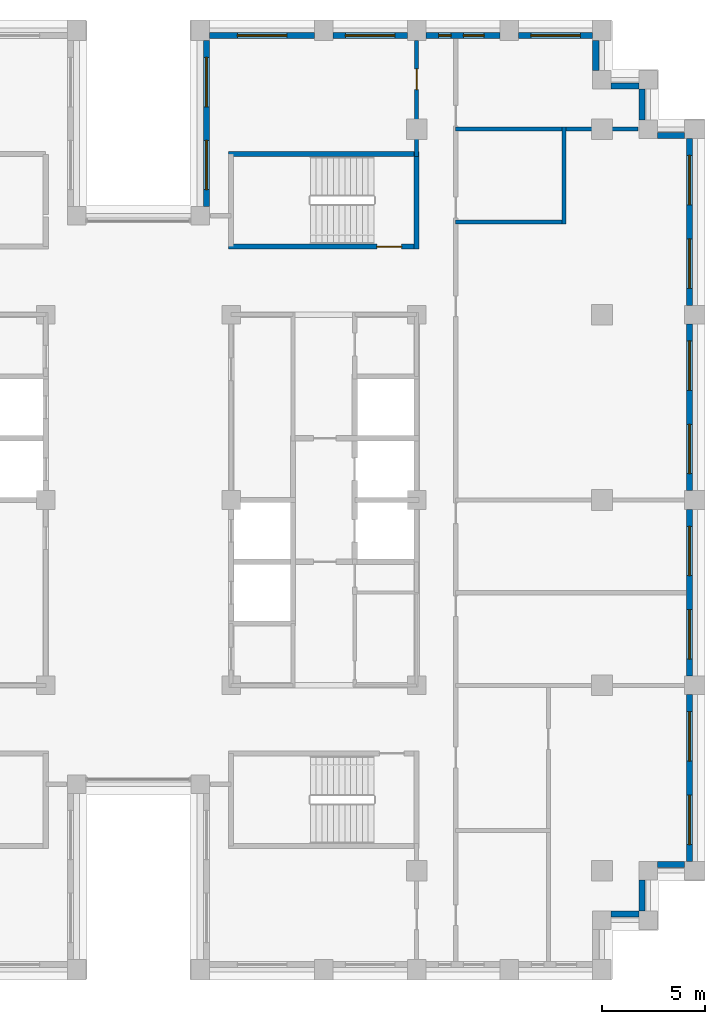
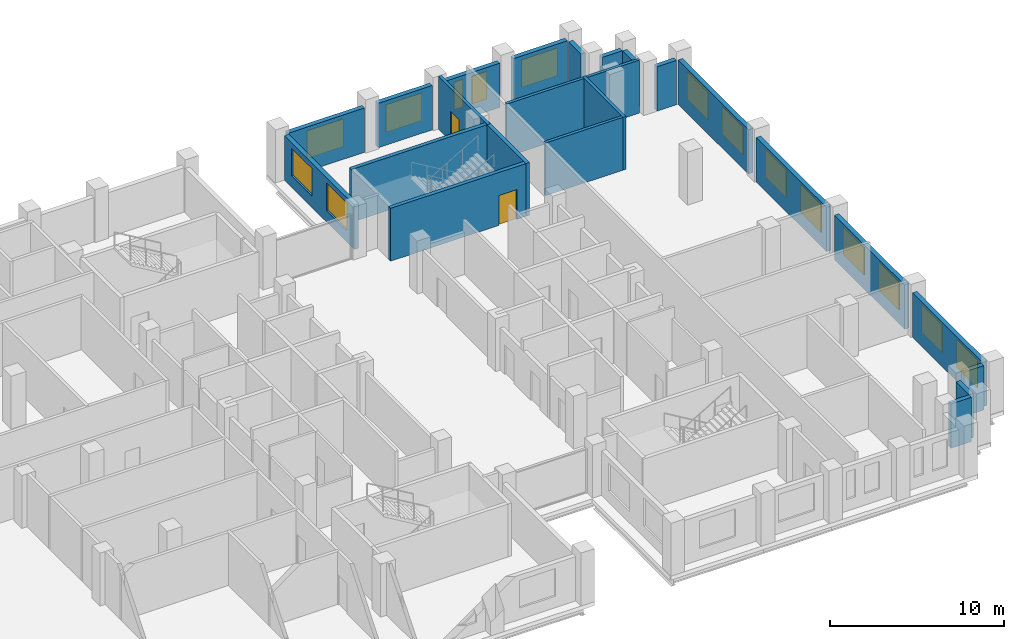
# One storey, part 11 of 15: 23 walls, 15 windows, 2 doors, 17 openings.
"""IFC4 building model written with IfcOpenShell, lengths in metres."""

from ifc_helpers import new_model, si_unit, direction, frame, frame_2d, origin, place, context, subcontext, project, spatial, rectangle, extrude, material, layer, layer_set, type_object, element, fill, save


model = new_model("IFC4")

# Units and contexts
model_context = context("Model", 3, precision=1e-05, world=origin(), true_north=direction((0.0, 1.0)))
body_context = subcontext(model_context, "Body", "Model", "MODEL_VIEW")
ifc_project = project(units=[si_unit("LENGTHUNIT", "METRE"), si_unit("AREAUNIT", "SQUARE_METRE"), si_unit("VOLUMEUNIT", "CUBIC_METRE"), si_unit("PLANEANGLEUNIT", "RADIAN"), si_unit("MASSUNIT", "GRAM", prefix="KILO")], contexts=[model_context])

# Site, building, storey
site_placement = place(None, origin())
site = spatial("IfcSite", under=ifc_project, at=site_placement, CompositionType="ELEMENT")
building_placement = place(site_placement, origin())
building = spatial("IfcBuilding", under=site, at=building_placement, Name="Corbelhall Arena Tower", CompositionType="ELEMENT")
storey_placement = place(building_placement, frame((0.0, 0.0, 216.0)))
storey = spatial("IfcBuildingStorey", under=building, at=storey_placement, Name="L45", CompositionType="ELEMENT", Elevation=216.0)

# Walls
ifc_material_1 = material(Name="Precast concrete C40/50 with granite facing", Category="masonry")
ifc_layer_1 = layer(ifc_material_1, 0.300048828125)
ifc_layer_set_1 = layer_set([ifc_layer_1], Name="EV-IW1 Infill panel 300")
wall_type_1 = type_object("IfcWallType", Name="EV-IW1 Infill panel 300", PredefinedType="SOLIDWALL", material=ifc_layer_set_1)
wall_1_placement = place(storey_placement, frame((22.949951171875, -20.10009765625, 0.0), z_axis=(0.0, 0.0, 1.0), x_axis=(1.0, 0.0, 0.0)))
element("IfcWall", 1, at=wall_1_placement, inside=storey, type_object=wall_type_1, Name="Infill panel IW1", PredefinedType="SOLIDWALL", context=body_context, shape_type="SweptSolid", body=[
    extrude(rectangle(XDim=1.35009765625, YDim=0.300048828125, at=frame_2d((0.675048828125, 0.0))), origin(), (0.0, 0.0, 1.0), 3.1201171875),
])
wall_2_placement = place(storey_placement, frame((24.449951171875, -19.949951171875, 0.0), z_axis=(0.0, 0.0, 1.0), x_axis=(0.0, 1.0, 0.0)))
element("IfcWall", 2, at=wall_2_placement, inside=storey, type_object=wall_type_1, Name="Infill panel IW1", PredefinedType="SOLIDWALL", context=body_context, shape_type="SweptSolid", body=[
    extrude(rectangle(XDim=1.5, YDim=0.300048828125, at=frame_2d((0.75, 0.0))), origin(), (0.0, 0.0, 1.0), 3.1201171875),
])
wall_3_placement = place(storey_placement, frame((25.199951171875, -17.699951171875, 0.0), z_axis=(0.0, 0.0, 1.0), x_axis=(1.0, 0.0, 0.0)))
element("IfcWall", 3, at=wall_3_placement, inside=storey, type_object=wall_type_1, Name="Infill panel IW1", PredefinedType="SOLIDWALL", context=body_context, shape_type="SweptSolid", body=[
    extrude(rectangle(XDim=1.300048828125, YDim=0.300048828125, at=frame_2d((0.64990234375, 0.0))), origin(), (0.0, 0.0, 1.0), 3.1201171875),
])

# Wall, openings, windows
wall_4_placement = place(storey_placement, frame((26.75, -17.550048828125, 0.0), z_axis=(0.0, 0.0, 1.0), x_axis=(0.0, 1.0, 0.0)))
wall_4 = element("IfcWall", 4, at=wall_4_placement, inside=storey, type_object=wall_type_1, Name="Infill panel IW1", PredefinedType="SOLIDWALL", context=body_context, shape_type="SweptSolid", body=[
    extrude(rectangle(XDim=8.10009765625, YDim=0.300048828125, at=frame_2d((4.050048828125, 0.0))), origin(), (0.0, 0.0, 1.0), 3.1201171875),
])
opening_1_placement = place(wall_4_placement, frame((0.824951171875, 0.0, 0.800048828125)))
opening_1 = element("IfcOpeningElement", 5, at=opening_1_placement, cuts=wall_4, Name="Opening WN1", PredefinedType="OPENING", context=body_context, shape_type="SweptSolid", body=[
    extrude(rectangle(XDim=2.39990234375, YDim=1.949951171875, at=frame_2d((1.199951171875, 0.97509765625))), frame((0.0, 0.14990234375, 0.0), z_axis=(0.0, -1.0, 0.0), x_axis=(1.0, 0.0, 0.0)), (0.0, 0.0, 1.0), 0.300048828125),
])
opening_2_placement = place(wall_4_placement, frame((4.875, 0.0, 0.800048828125)))
opening_2 = element("IfcOpeningElement", 6, at=opening_2_placement, cuts=wall_4, Name="Opening WN1", PredefinedType="OPENING", context=body_context, shape_type="SweptSolid", body=[
    extrude(rectangle(XDim=2.39990234375, YDim=1.949951171875, at=frame_2d((1.199951171875, 0.97509765625))), frame((0.0, 0.14990234375, 0.0), z_axis=(0.0, -1.0, 0.0), x_axis=(1.0, 0.0, 0.0)), (0.0, 0.0, 1.0), 0.300048828125),
])
ifc_material_2 = material(Name="Aluminium black anodised", Category="aluminium")
window_type_1 = type_object("IfcWindowType", Name="EV-WN1 Office window", PartitioningType="SINGLE_PANEL", PredefinedType="WINDOW", material=ifc_material_2)
window_1_placement = place(opening_1_placement, origin())
window_1 = element("IfcWindow", 7, at=window_1_placement, inside=storey, type_object=window_type_1, Name="Window WN1", OverallHeight=1.949951171875, OverallWidth=2.39990234375, PartitioningType="SINGLE_PANEL", PredefinedType="WINDOW", context=body_context, shape_type="SweptSolid", body=[
    extrude(rectangle(XDim=2.39990234375, YDim=1.949951171875, at=frame_2d((1.199951171875, 0.97509765625))), frame((0.0, 0.030029296875, 0.0), z_axis=(0.0, -1.0, 0.0), x_axis=(1.0, 0.0, 0.0)), (0.0, 0.0, 1.0), 0.06005859375),
])
fill(opening_1, window_1)
window_2_placement = place(opening_2_placement, origin())
window_2 = element("IfcWindow", 8, at=window_2_placement, inside=storey, type_object=window_type_1, Name="Window WN1", OverallHeight=1.949951171875, OverallWidth=2.39990234375, PartitioningType="SINGLE_PANEL", PredefinedType="WINDOW", context=body_context, shape_type="SweptSolid", body=[
    extrude(rectangle(XDim=2.39990234375, YDim=1.949951171875, at=frame_2d((1.199951171875, 0.97509765625))), frame((0.0, 0.030029296875, 0.0), z_axis=(0.0, -1.0, 0.0), x_axis=(1.0, 0.0, 0.0)), (0.0, 0.0, 1.0), 0.06005859375),
])
fill(opening_2, window_2)

wall_5_placement = place(storey_placement, frame((26.75, -8.550048828125, 0.0), z_axis=(0.0, 0.0, 1.0), x_axis=(0.0, 1.0, 0.0)))
wall_5 = element("IfcWall", 9, at=wall_5_placement, inside=storey, type_object=wall_type_1, Name="Infill panel IW1", PredefinedType="SOLIDWALL", context=body_context, shape_type="SweptSolid", body=[
    extrude(rectangle(XDim=8.10009765625, YDim=0.300048828125, at=frame_2d((4.050048828125, 0.0))), origin(), (0.0, 0.0, 1.0), 3.1201171875),
])
opening_3_placement = place(wall_5_placement, frame((0.824951171875, 0.0, 0.800048828125)))
opening_3 = element("IfcOpeningElement", 10, at=opening_3_placement, cuts=wall_5, Name="Opening WN1", PredefinedType="OPENING", context=body_context, shape_type="SweptSolid", body=[
    extrude(rectangle(XDim=2.39990234375, YDim=1.949951171875, at=frame_2d((1.199951171875, 0.97509765625))), frame((0.0, 0.14990234375, 0.0), z_axis=(0.0, -1.0, 0.0), x_axis=(1.0, 0.0, 0.0)), (0.0, 0.0, 1.0), 0.300048828125),
])
opening_4_placement = place(wall_5_placement, frame((4.875, 0.0, 0.800048828125)))
opening_4 = element("IfcOpeningElement", 11, at=opening_4_placement, cuts=wall_5, Name="Opening WN1", PredefinedType="OPENING", context=body_context, shape_type="SweptSolid", body=[
    extrude(rectangle(XDim=2.39990234375, YDim=1.949951171875, at=frame_2d((1.199951171875, 0.97509765625))), frame((0.0, 0.14990234375, 0.0), z_axis=(0.0, -1.0, 0.0), x_axis=(1.0, 0.0, 0.0)), (0.0, 0.0, 1.0), 0.300048828125),
])
window_3_placement = place(opening_3_placement, origin())
window_3 = element("IfcWindow", 12, at=window_3_placement, inside=storey, type_object=window_type_1, Name="Window WN1", OverallHeight=1.949951171875, OverallWidth=2.39990234375, PartitioningType="SINGLE_PANEL", PredefinedType="WINDOW", context=body_context, shape_type="SweptSolid", body=[
    extrude(rectangle(XDim=2.39990234375, YDim=1.949951171875, at=frame_2d((1.199951171875, 0.97509765625))), frame((0.0, 0.030029296875, 0.0), z_axis=(0.0, -1.0, 0.0), x_axis=(1.0, 0.0, 0.0)), (0.0, 0.0, 1.0), 0.06005859375),
])
fill(opening_3, window_3)
window_4_placement = place(opening_4_placement, origin())
window_4 = element("IfcWindow", 13, at=window_4_placement, inside=storey, type_object=window_type_1, Name="Window WN1", OverallHeight=1.949951171875, OverallWidth=2.39990234375, PartitioningType="SINGLE_PANEL", PredefinedType="WINDOW", context=body_context, shape_type="SweptSolid", body=[
    extrude(rectangle(XDim=2.39990234375, YDim=1.949951171875, at=frame_2d((1.199951171875, 0.97509765625))), frame((0.0, 0.030029296875, 0.0), z_axis=(0.0, -1.0, 0.0), x_axis=(1.0, 0.0, 0.0)), (0.0, 0.0, 1.0), 0.06005859375),
])
fill(opening_4, window_4)

wall_6_placement = place(storey_placement, frame((26.75, 0.449951171875, 0.0), z_axis=(0.0, 0.0, 1.0), x_axis=(0.0, 1.0, 0.0)))
wall_6 = element("IfcWall", 14, at=wall_6_placement, inside=storey, type_object=wall_type_1, Name="Infill panel IW1", PredefinedType="SOLIDWALL", context=body_context, shape_type="SweptSolid", body=[
    extrude(rectangle(XDim=8.10009765625, YDim=0.300048828125, at=frame_2d((4.050048828125, 0.0))), origin(), (0.0, 0.0, 1.0), 3.1201171875),
])
opening_5_placement = place(wall_6_placement, frame((0.824951171875, 0.0, 0.800048828125)))
opening_5 = element("IfcOpeningElement", 15, at=opening_5_placement, cuts=wall_6, Name="Opening WN1", PredefinedType="OPENING", context=body_context, shape_type="SweptSolid", body=[
    extrude(rectangle(XDim=2.39990234375, YDim=1.949951171875, at=frame_2d((1.199951171875, 0.97509765625))), frame((0.0, 0.14990234375, 0.0), z_axis=(0.0, -1.0, 0.0), x_axis=(1.0, 0.0, 0.0)), (0.0, 0.0, 1.0), 0.300048828125),
])
opening_6_placement = place(wall_6_placement, frame((4.875, 0.0, 0.800048828125)))
opening_6 = element("IfcOpeningElement", 16, at=opening_6_placement, cuts=wall_6, Name="Opening WN1", PredefinedType="OPENING", context=body_context, shape_type="SweptSolid", body=[
    extrude(rectangle(XDim=2.39990234375, YDim=1.949951171875, at=frame_2d((1.199951171875, 0.97509765625))), frame((0.0, 0.14990234375, 0.0), z_axis=(0.0, -1.0, 0.0), x_axis=(1.0, 0.0, 0.0)), (0.0, 0.0, 1.0), 0.300048828125),
])
window_5_placement = place(opening_5_placement, origin())
window_5 = element("IfcWindow", 17, at=window_5_placement, inside=storey, type_object=window_type_1, Name="Window WN1", OverallHeight=1.949951171875, OverallWidth=2.39990234375, PartitioningType="SINGLE_PANEL", PredefinedType="WINDOW", context=body_context, shape_type="SweptSolid", body=[
    extrude(rectangle(XDim=2.39990234375, YDim=1.949951171875, at=frame_2d((1.199951171875, 0.97509765625))), frame((0.0, 0.030029296875, 0.0), z_axis=(0.0, -1.0, 0.0), x_axis=(1.0, 0.0, 0.0)), (0.0, 0.0, 1.0), 0.06005859375),
])
fill(opening_5, window_5)
window_6_placement = place(opening_6_placement, origin())
window_6 = element("IfcWindow", 18, at=window_6_placement, inside=storey, type_object=window_type_1, Name="Window WN1", OverallHeight=1.949951171875, OverallWidth=2.39990234375, PartitioningType="SINGLE_PANEL", PredefinedType="WINDOW", context=body_context, shape_type="SweptSolid", body=[
    extrude(rectangle(XDim=2.39990234375, YDim=1.949951171875, at=frame_2d((1.199951171875, 0.97509765625))), frame((0.0, 0.030029296875, 0.0), z_axis=(0.0, -1.0, 0.0), x_axis=(1.0, 0.0, 0.0)), (0.0, 0.0, 1.0), 0.06005859375),
])
fill(opening_6, window_6)

wall_7_placement = place(storey_placement, frame((26.75, 9.449951171875, 0.0), z_axis=(0.0, 0.0, 1.0), x_axis=(0.0, 1.0, 0.0)))
wall_7 = element("IfcWall", 19, at=wall_7_placement, inside=storey, type_object=wall_type_1, Name="Infill panel IW1", PredefinedType="SOLIDWALL", context=body_context, shape_type="SweptSolid", body=[
    extrude(rectangle(XDim=8.10009765625, YDim=0.300048828125, at=frame_2d((4.050048828125, 0.0))), origin(), (0.0, 0.0, 1.0), 3.1201171875),
])
opening_7_placement = place(wall_7_placement, frame((0.824951171875, 0.0, 0.800048828125)))
opening_7 = element("IfcOpeningElement", 20, at=opening_7_placement, cuts=wall_7, Name="Opening WN1", PredefinedType="OPENING", context=body_context, shape_type="SweptSolid", body=[
    extrude(rectangle(XDim=2.39990234375, YDim=1.949951171875, at=frame_2d((1.199951171875, 0.97509765625))), frame((0.0, 0.14990234375, 0.0), z_axis=(0.0, -1.0, 0.0), x_axis=(1.0, 0.0, 0.0)), (0.0, 0.0, 1.0), 0.300048828125),
])
opening_8_placement = place(wall_7_placement, frame((4.875, 0.0, 0.800048828125)))
opening_8 = element("IfcOpeningElement", 21, at=opening_8_placement, cuts=wall_7, Name="Opening WN1", PredefinedType="OPENING", context=body_context, shape_type="SweptSolid", body=[
    extrude(rectangle(XDim=2.39990234375, YDim=1.949951171875, at=frame_2d((1.199951171875, 0.97509765625))), frame((0.0, 0.14990234375, 0.0), z_axis=(0.0, -1.0, 0.0), x_axis=(1.0, 0.0, 0.0)), (0.0, 0.0, 1.0), 0.300048828125),
])
window_7_placement = place(opening_7_placement, origin())
window_7 = element("IfcWindow", 22, at=window_7_placement, inside=storey, type_object=window_type_1, Name="Window WN1", OverallHeight=1.949951171875, OverallWidth=2.39990234375, PartitioningType="SINGLE_PANEL", PredefinedType="WINDOW", context=body_context, shape_type="SweptSolid", body=[
    extrude(rectangle(XDim=2.39990234375, YDim=1.949951171875, at=frame_2d((1.199951171875, 0.97509765625))), frame((0.0, 0.030029296875, 0.0), z_axis=(0.0, -1.0, 0.0), x_axis=(1.0, 0.0, 0.0)), (0.0, 0.0, 1.0), 0.06005859375),
])
fill(opening_7, window_7)
window_8_placement = place(opening_8_placement, origin())
window_8 = element("IfcWindow", 23, at=window_8_placement, inside=storey, type_object=window_type_1, Name="Window WN1", OverallHeight=1.949951171875, OverallWidth=2.39990234375, PartitioningType="SINGLE_PANEL", PredefinedType="WINDOW", context=body_context, shape_type="SweptSolid", body=[
    extrude(rectangle(XDim=2.39990234375, YDim=1.949951171875, at=frame_2d((1.199951171875, 0.97509765625))), frame((0.0, 0.030029296875, 0.0), z_axis=(0.0, -1.0, 0.0), x_axis=(1.0, 0.0, 0.0)), (0.0, 0.0, 1.0), 0.06005859375),
])
fill(opening_8, window_8)

# Walls
wall_8_placement = place(storey_placement, frame((26.5, 17.699951171875, 0.0), z_axis=(0.0, 0.0, 1.0), x_axis=(-1.0, 0.0, 0.0)))
element("IfcWall", 24, at=wall_8_placement, inside=storey, type_object=wall_type_1, Name="Infill panel IW1", PredefinedType="SOLIDWALL", context=body_context, shape_type="SweptSolid", body=[
    extrude(rectangle(XDim=1.300048828125, YDim=0.300048828125, at=frame_2d((0.64990234375, 0.0))), origin(), (0.0, 0.0, 1.0), 3.1201171875),
])
wall_9_placement = place(storey_placement, frame((24.449951171875, 18.449951171875, 0.0), z_axis=(0.0, 0.0, 1.0), x_axis=(0.0, 1.0, 0.0)))
element("IfcWall", 25, at=wall_9_placement, inside=storey, type_object=wall_type_1, Name="Infill panel IW1", PredefinedType="SOLIDWALL", context=body_context, shape_type="SweptSolid", body=[
    extrude(rectangle(XDim=1.5, YDim=0.300048828125, at=frame_2d((0.75, 0.0))), origin(), (0.0, 0.0, 1.0), 3.1201171875),
])
wall_10_placement = place(storey_placement, frame((24.300048828125, 20.10009765625, 0.0), z_axis=(0.0, 0.0, 1.0), x_axis=(-1.0, 0.0, 0.0)))
element("IfcWall", 26, at=wall_10_placement, inside=storey, type_object=wall_type_1, Name="Infill panel IW1", PredefinedType="SOLIDWALL", context=body_context, shape_type="SweptSolid", body=[
    extrude(rectangle(XDim=1.35009765625, YDim=0.300048828125, at=frame_2d((0.675048828125, 0.0))), origin(), (0.0, 0.0, 1.0), 3.1201171875),
])
wall_11_placement = place(storey_placement, frame((22.199951171875, 20.85009765625, 0.0), z_axis=(0.0, 0.0, 1.0), x_axis=(0.0, 1.0, 0.0)))
element("IfcWall", 27, at=wall_11_placement, inside=storey, type_object=wall_type_1, Name="Infill panel IW1", PredefinedType="SOLIDWALL", context=body_context, shape_type="SweptSolid", body=[
    extrude(rectangle(XDim=1.449951171875, YDim=0.300048828125, at=frame_2d((0.72509765625, 0.0))), origin(), (0.0, 0.0, 1.0), 3.1201171875),
])

# Wall, opening, window
wall_12_placement = place(storey_placement, frame((22.050048828125, 22.550048828125, 0.0), z_axis=(0.0, 0.0, 1.0), x_axis=(-1.0, 0.0, 0.0)))
wall_12 = element("IfcWall", 28, at=wall_12_placement, inside=storey, type_object=wall_type_1, Name="Infill panel IW1", PredefinedType="SOLIDWALL", context=body_context, shape_type="SweptSolid", body=[
    extrude(rectangle(XDim=3.60009765625, YDim=0.300048828125, at=frame_2d((1.800048828125, 0.0))), origin(), (0.0, 0.0, 1.0), 3.1201171875),
])
opening_9_placement = place(wall_12_placement, frame((0.60009765625, 0.0, 0.800048828125)))
opening_9 = element("IfcOpeningElement", 29, at=opening_9_placement, cuts=wall_12, Name="Opening WN1", PredefinedType="OPENING", context=body_context, shape_type="SweptSolid", body=[
    extrude(rectangle(XDim=2.39990234375, YDim=1.949951171875, at=frame_2d((1.199951171875, 0.97509765625))), frame((0.0, 0.14990234375, 0.0), z_axis=(0.0, -1.0, 0.0), x_axis=(1.0, 0.0, 0.0)), (0.0, 0.0, 1.0), 0.300048828125),
])
window_9_placement = place(opening_9_placement, origin())
window_9 = element("IfcWindow", 30, at=window_9_placement, inside=storey, type_object=window_type_1, Name="Window WN1", OverallHeight=1.949951171875, OverallWidth=2.39990234375, PartitioningType="SINGLE_PANEL", PredefinedType="WINDOW", context=body_context, shape_type="SweptSolid", body=[
    extrude(rectangle(XDim=2.39990234375, YDim=1.949951171875, at=frame_2d((1.199951171875, 0.97509765625))), frame((0.0, 0.030029296875, 0.0), z_axis=(0.0, -1.0, 0.0), x_axis=(1.0, 0.0, 0.0)), (0.0, 0.0, 1.0), 0.06005859375),
])
fill(opening_9, window_9)

# Wall, openings, windows
wall_13_placement = place(storey_placement, frame((17.550048828125, 22.550048828125, 0.0), z_axis=(0.0, 0.0, 1.0), x_axis=(-1.0, 0.0, 0.0)))
wall_13 = element("IfcWall", 31, at=wall_13_placement, inside=storey, type_object=wall_type_1, Name="Infill panel IW1", PredefinedType="SOLIDWALL", context=body_context, shape_type="SweptSolid", body=[
    extrude(rectangle(XDim=3.60009765625, YDim=0.300048828125, at=frame_2d((1.800048828125, 0.0))), origin(), (0.0, 0.0, 1.0), 3.1201171875),
])
opening_10_placement = place(wall_13_placement, frame((0.77490234375, 0.0, 0.800048828125)))
opening_10 = element("IfcOpeningElement", 32, at=opening_10_placement, cuts=wall_13, Name="Opening WN6", PredefinedType="OPENING", context=body_context, shape_type="SweptSolid", body=[
    extrude(rectangle(XDim=1.0, YDim=1.949951171875, at=frame_2d((0.5, 0.97509765625))), frame((0.0, 0.14990234375, 0.0), z_axis=(0.0, -1.0, 0.0), x_axis=(1.0, 0.0, 0.0)), (0.0, 0.0, 1.0), 0.300048828125),
])
opening_11_placement = place(wall_13_placement, frame((2.375, 0.0, 0.800048828125)))
opening_11 = element("IfcOpeningElement", 33, at=opening_11_placement, cuts=wall_13, Name="Opening WN5", PredefinedType="OPENING", context=body_context, shape_type="SweptSolid", body=[
    extrude(rectangle(XDim=0.60009765625, YDim=1.949951171875, at=frame_2d((0.300048828125, 0.97509765625))), frame((0.0, 0.14990234375, 0.0), z_axis=(0.0, -1.0, 0.0), x_axis=(1.0, 0.0, 0.0)), (0.0, 0.0, 1.0), 0.300048828125),
])
window_type_2 = type_object("IfcWindowType", Name="EV-WN5 Office window 600", PartitioningType="SINGLE_PANEL", PredefinedType="WINDOW", material=ifc_material_2)
window_10_placement = place(opening_11_placement, origin())
window_10 = element("IfcWindow", 34, at=window_10_placement, inside=storey, type_object=window_type_2, Name="Window WN5", OverallHeight=1.949951171875, OverallWidth=0.60009765625, PartitioningType="SINGLE_PANEL", PredefinedType="WINDOW", context=body_context, shape_type="SweptSolid", body=[
    extrude(rectangle(XDim=0.60009765625, YDim=1.949951171875, at=frame_2d((0.300048828125, 0.97509765625))), frame((0.0, 0.030029296875, 0.0), z_axis=(0.0, -1.0, 0.0), x_axis=(1.0, 0.0, 0.0)), (0.0, 0.0, 1.0), 0.06005859375),
])
fill(opening_11, window_10)
window_type_3 = type_object("IfcWindowType", Name="EV-WN6 Office window 1000", PartitioningType="SINGLE_PANEL", PredefinedType="WINDOW", material=ifc_material_2)
window_11_placement = place(opening_10_placement, origin())
window_11 = element("IfcWindow", 35, at=window_11_placement, inside=storey, type_object=window_type_3, Name="Window WN6", OverallHeight=1.949951171875, OverallWidth=1.0, PartitioningType="SINGLE_PANEL", PredefinedType="WINDOW", context=body_context, shape_type="SweptSolid", body=[
    extrude(rectangle(XDim=1.0, YDim=1.949951171875, at=frame_2d((0.5, 0.97509765625))), frame((0.0, 0.030029296875, 0.0), z_axis=(0.0, -1.0, 0.0), x_axis=(1.0, 0.0, 0.0)), (0.0, 0.0, 1.0), 0.06005859375),
])
fill(opening_10, window_11)

# Wall, opening, window
wall_14_placement = place(storey_placement, frame((13.050048828125, 22.550048828125, 0.0), z_axis=(0.0, 0.0, 1.0), x_axis=(-1.0, 0.0, 0.0)))
wall_14 = element("IfcWall", 36, at=wall_14_placement, inside=storey, type_object=wall_type_1, Name="Infill panel IW1", PredefinedType="SOLIDWALL", context=body_context, shape_type="SweptSolid", body=[
    extrude(rectangle(XDim=3.60009765625, YDim=0.300048828125, at=frame_2d((1.800048828125, 0.0))), origin(), (0.0, 0.0, 1.0), 3.1201171875),
])
opening_12_placement = place(wall_14_placement, frame((0.60009765625, 0.0, 0.800048828125)))
opening_12 = element("IfcOpeningElement", 37, at=opening_12_placement, cuts=wall_14, Name="Opening WN1", PredefinedType="OPENING", context=body_context, shape_type="SweptSolid", body=[
    extrude(rectangle(XDim=2.39990234375, YDim=1.949951171875, at=frame_2d((1.199951171875, 0.97509765625))), frame((0.0, 0.14990234375, 0.0), z_axis=(0.0, -1.0, 0.0), x_axis=(1.0, 0.0, 0.0)), (0.0, 0.0, 1.0), 0.300048828125),
])
window_12_placement = place(opening_12_placement, origin())
window_12 = element("IfcWindow", 38, at=window_12_placement, inside=storey, type_object=window_type_1, Name="Window WN1", OverallHeight=1.949951171875, OverallWidth=2.39990234375, PartitioningType="SINGLE_PANEL", PredefinedType="WINDOW", context=body_context, shape_type="SweptSolid", body=[
    extrude(rectangle(XDim=2.39990234375, YDim=1.949951171875, at=frame_2d((1.199951171875, 0.97509765625))), frame((0.0, 0.030029296875, 0.0), z_axis=(0.0, -1.0, 0.0), x_axis=(1.0, 0.0, 0.0)), (0.0, 0.0, 1.0), 0.06005859375),
])
fill(opening_12, window_12)

wall_15_placement = place(storey_placement, frame((8.550048828125, 22.550048828125, 0.0), z_axis=(0.0, 0.0, 1.0), x_axis=(-1.0, 0.0, 0.0)))
wall_15 = element("IfcWall", 39, at=wall_15_placement, inside=storey, type_object=wall_type_1, Name="Infill panel IW1", PredefinedType="SOLIDWALL", context=body_context, shape_type="SweptSolid", body=[
    extrude(rectangle(XDim=5.10009765625, YDim=0.300048828125, at=frame_2d((2.550048828125, 0.0))), origin(), (0.0, 0.0, 1.0), 3.1201171875),
])
opening_13_placement = place(wall_15_placement, frame((1.35009765625, 0.0, 0.800048828125)))
opening_13 = element("IfcOpeningElement", 40, at=opening_13_placement, cuts=wall_15, Name="Opening WN1", PredefinedType="OPENING", context=body_context, shape_type="SweptSolid", body=[
    extrude(rectangle(XDim=2.39990234375, YDim=1.949951171875, at=frame_2d((1.199951171875, 0.97509765625))), frame((0.0, 0.14990234375, 0.0), z_axis=(0.0, -1.0, 0.0), x_axis=(1.0, 0.0, 0.0)), (0.0, 0.0, 1.0), 0.300048828125),
])
window_13_placement = place(opening_13_placement, origin())
window_13 = element("IfcWindow", 41, at=window_13_placement, inside=storey, type_object=window_type_1, Name="Window WN1", OverallHeight=1.949951171875, OverallWidth=2.39990234375, PartitioningType="SINGLE_PANEL", PredefinedType="WINDOW", context=body_context, shape_type="SweptSolid", body=[
    extrude(rectangle(XDim=2.39990234375, YDim=1.949951171875, at=frame_2d((1.199951171875, 0.97509765625))), frame((0.0, 0.030029296875, 0.0), z_axis=(0.0, -1.0, 0.0), x_axis=(1.0, 0.0, 0.0)), (0.0, 0.0, 1.0), 0.06005859375),
])
fill(opening_13, window_13)

# Wall, openings, windows
wall_16_placement = place(storey_placement, frame((3.300048828125, 22.300048828125, 0.0), z_axis=(0.0, 0.0, 1.0), x_axis=(0.0, -1.0, 0.0)))
wall_16 = element("IfcWall", 42, at=wall_16_placement, inside=storey, type_object=wall_type_1, Name="Infill panel IW1", PredefinedType="SOLIDWALL", context=body_context, shape_type="SweptSolid", body=[
    extrude(rectangle(XDim=8.050048828125, YDim=0.300048828125, at=frame_2d((4.02490234375, 0.0))), origin(), (0.0, 0.0, 1.0), 3.1201171875),
])
opening_14_placement = place(wall_16_placement, frame((0.8125, 0.0, 0.800048828125)))
opening_14 = element("IfcOpeningElement", 43, at=opening_14_placement, cuts=wall_16, Name="Opening WN1", PredefinedType="OPENING", context=body_context, shape_type="SweptSolid", body=[
    extrude(rectangle(XDim=2.39990234375, YDim=1.949951171875, at=frame_2d((1.199951171875, 0.97509765625))), frame((0.0, 0.14990234375, 0.0), z_axis=(0.0, -1.0, 0.0), x_axis=(1.0, 0.0, 0.0)), (0.0, 0.0, 1.0), 0.300048828125),
])
opening_15_placement = place(wall_16_placement, frame((4.83740234375, 0.0, 0.800048828125)))
opening_15 = element("IfcOpeningElement", 44, at=opening_15_placement, cuts=wall_16, Name="Opening WN1", PredefinedType="OPENING", context=body_context, shape_type="SweptSolid", body=[
    extrude(rectangle(XDim=2.39990234375, YDim=1.949951171875, at=frame_2d((1.199951171875, 0.97509765625))), frame((0.0, 0.14990234375, 0.0), z_axis=(0.0, -1.0, 0.0), x_axis=(1.0, 0.0, 0.0)), (0.0, 0.0, 1.0), 0.300048828125),
])
window_14_placement = place(opening_14_placement, origin())
window_14 = element("IfcWindow", 45, at=window_14_placement, inside=storey, type_object=window_type_1, Name="Window WN1", OverallHeight=1.949951171875, OverallWidth=2.39990234375, PartitioningType="SINGLE_PANEL", PredefinedType="WINDOW", context=body_context, shape_type="SweptSolid", body=[
    extrude(rectangle(XDim=2.39990234375, YDim=1.949951171875, at=frame_2d((1.199951171875, 0.97509765625))), frame((0.0, 0.030029296875, 0.0), z_axis=(0.0, -1.0, 0.0), x_axis=(1.0, 0.0, 0.0)), (0.0, 0.0, 1.0), 0.06005859375),
])
fill(opening_14, window_14)
window_15_placement = place(opening_15_placement, origin())
window_15 = element("IfcWindow", 46, at=window_15_placement, inside=storey, type_object=window_type_1, Name="Window WN1", OverallHeight=1.949951171875, OverallWidth=2.39990234375, PartitioningType="SINGLE_PANEL", PredefinedType="WINDOW", context=body_context, shape_type="SweptSolid", body=[
    extrude(rectangle(XDim=2.39990234375, YDim=1.949951171875, at=frame_2d((1.199951171875, 0.97509765625))), frame((0.0, 0.030029296875, 0.0), z_axis=(0.0, -1.0, 0.0), x_axis=(1.0, 0.0, 0.0)), (0.0, 0.0, 1.0), 0.06005859375),
])
fill(opening_15, window_15)

# Wall, opening, door
ifc_material_3 = material(Name="Gypsum board on steel stud, acoustic", Category="steel")
ifc_layer_2 = layer(ifc_material_3, 0.199951171875)
ifc_layer_set_2 = layer_set([ifc_layer_2], Name="IN-W-DM200")
wall_type_2 = type_object("IfcWallType", Name="IN-W-DM200", PredefinedType="PARTITIONING", material=ifc_layer_set_2)
wall_17_placement = place(storey_placement, frame((13.5, 16.675048828125, 0.0), z_axis=(0.0, 0.0, 1.0), x_axis=(0.0, 1.0, 0.0)))
wall_17 = element("IfcWall", 47, at=wall_17_placement, inside=storey, type_object=wall_type_2, Name="Partition 024", PredefinedType="PARTITIONING", context=body_context, shape_type="SweptSolid", body=[
    extrude(rectangle(XDim=5.625, YDim=0.199951171875, at=frame_2d((2.8125, 0.0))), origin(), (0.0, 0.0, 1.0), 3.719970703125),
])
opening_16_placement = place(wall_17_placement, frame((3.25, 0.0, 0.0)))
opening_16 = element("IfcOpeningElement", 48, at=opening_16_placement, cuts=wall_17, Name="Opening 13021", PredefinedType="OPENING", context=body_context, shape_type="SweptSolid", body=[
    extrude(rectangle(XDim=1.0, YDim=2.10009765625, at=frame_2d((0.5, 1.050048828125))), frame((0.0, 0.10009765625, 0.0), z_axis=(0.0, -1.0, 0.0), x_axis=(1.0, 0.0, 0.0)), (0.0, 0.0, 1.0), 0.199951171875),
])
ifc_material_4 = material(Name="Steel door set", Category="steel")
door_type_1 = type_object("IfcDoorType", Name="IN-D-SW100", OperationType="NOTDEFINED", PredefinedType="DOOR", material=ifc_material_4)
door_1_placement = place(opening_16_placement, origin())
door_1 = element("IfcDoor", 49, at=door_1_placement, inside=storey, type_object=door_type_1, Name="Door 021", OperationType="SINGLE_SWING_RIGHT", OverallHeight=2.10009765625, OverallWidth=1.0, PredefinedType="DOOR", context=body_context, shape_type="SweptSolid", body=[
    extrude(rectangle(XDim=1.0, YDim=2.10009765625, at=frame_2d((0.5, 1.050048828125))), frame((0.0, 0.02490234375, 0.0), z_axis=(0.0, -1.0, 0.0), x_axis=(1.0, 0.0, 0.0)), (0.0, 0.0, 1.0), 0.050048828125),
])
fill(opening_16, door_1)

# Walls
wall_18_placement = place(storey_placement, frame((15.39990234375, 13.5, 0.0), z_axis=(0.0, 0.0, 1.0), x_axis=(1.0, 0.0, 0.0)))
element("IfcWall", 50, at=wall_18_placement, inside=storey, type_object=wall_type_2, Name="Partition 029", PredefinedType="PARTITIONING", context=body_context, shape_type="SweptSolid", body=[
    extrude(rectangle(XDim=5.25, YDim=0.199951171875, at=frame_2d((2.625, 0.0))), origin(), (0.0, 0.0, 1.0), 3.719970703125),
])
wall_19_placement = place(storey_placement, frame((15.39990234375, 18.0, 0.0), z_axis=(0.0, 0.0, 1.0), x_axis=(1.0, 0.0, 0.0)))
element("IfcWall", 51, at=wall_19_placement, inside=storey, type_object=wall_type_2, Name="Partition 030", PredefinedType="PARTITIONING", context=body_context, shape_type="SweptSolid", body=[
    extrude(rectangle(XDim=8.85009765625, YDim=0.199951171875, at=frame_2d((4.425048828125, 0.0))), origin(), (0.0, 0.0, 1.0), 3.719970703125),
])
wall_20_placement = place(storey_placement, frame((20.64990234375, 13.39990234375, 0.0), z_axis=(0.0, 0.0, 1.0), x_axis=(0.0, 1.0, 0.0)))
element("IfcWall", 52, at=wall_20_placement, inside=storey, type_object=wall_type_2, Name="Partition 032", PredefinedType="PARTITIONING", context=body_context, shape_type="SweptSolid", body=[
    extrude(rectangle(XDim=4.7001953125, YDim=0.199951171875, at=frame_2d((2.35009765625, 0.0))), origin(), (0.0, 0.0, 1.0), 3.719970703125),
])

# Wall, opening, door
ifc_material_5 = material(Name="Concrete C40/50", Category="concrete")
ifc_layer_3 = layer(ifc_material_5, 0.25)
ifc_layer_set_3 = layer_set([ifc_layer_3], Name="IN-W-ST250")
wall_type_3 = type_object("IfcWallType", Name="IN-W-ST250", PredefinedType="SOLIDWALL", material=ifc_layer_set_3)
wall_21_placement = place(storey_placement, frame((4.375, 12.300048828125, 0.0), z_axis=(0.0, 0.0, 1.0), x_axis=(1.0, 0.0, 0.0)))
wall_21 = element("IfcWall", 53, at=wall_21_placement, inside=storey, type_object=wall_type_3, Name="Shaft wall 090", PredefinedType="SOLIDWALL", context=body_context, shape_type="SweptSolid", body=[
    extrude(rectangle(XDim=9.125, YDim=0.25, at=frame_2d((4.5625, 0.0))), origin(), (0.0, 0.0, 1.0), 3.719970703125),
])
opening_17_placement = place(wall_21_placement, frame((7.199951171875, 0.0, 0.0)))
opening_17 = element("IfcOpeningElement", 54, at=opening_17_placement, cuts=wall_21, Name="Opening 13017", PredefinedType="OPENING", context=body_context, shape_type="SweptSolid", body=[
    extrude(rectangle(XDim=1.199951171875, YDim=2.10009765625, at=frame_2d((0.60009765625, 1.050048828125))), frame((0.0, 0.125, 0.0), z_axis=(0.0, -1.0, 0.0), x_axis=(1.0, 0.0, 0.0)), (0.0, 0.0, 1.0), 0.25),
])
door_type_2 = type_object("IfcDoorType", Name="IN-D-ST120", OperationType="NOTDEFINED", PredefinedType="DOOR", material=ifc_material_4)
door_2_placement = place(opening_17_placement, origin())
door_2 = element("IfcDoor", 55, at=door_2_placement, inside=storey, type_object=door_type_2, Name="Door 017", OperationType="SINGLE_SWING_RIGHT", OverallHeight=2.10009765625, OverallWidth=1.199951171875, PredefinedType="DOOR", context=body_context, shape_type="SweptSolid", body=[
    extrude(rectangle(XDim=1.199951171875, YDim=2.10009765625, at=frame_2d((0.60009765625, 1.050048828125))), frame((0.0, 0.02490234375, 0.0), z_axis=(0.0, -1.0, 0.0), x_axis=(1.0, 0.0, 0.0)), (0.0, 0.0, 1.0), 0.050048828125),
])
fill(opening_17, door_2)

# Walls
wall_22_placement = place(storey_placement, frame((4.375, 16.800048828125, 0.0), z_axis=(0.0, 0.0, 1.0), x_axis=(1.0, 0.0, 0.0)))
element("IfcWall", 56, at=wall_22_placement, inside=storey, type_object=wall_type_3, Name="Shaft wall 091", PredefinedType="SOLIDWALL", context=body_context, shape_type="SweptSolid", body=[
    extrude(rectangle(XDim=9.125, YDim=0.25, at=frame_2d((4.5625, 0.0))), origin(), (0.0, 0.0, 1.0), 3.719970703125),
])
wall_23_placement = place(storey_placement, frame((13.5, 12.175048828125, 0.0), z_axis=(0.0, 0.0, 1.0), x_axis=(0.0, 1.0, 0.0)))
element("IfcWall", 57, at=wall_23_placement, inside=storey, type_object=wall_type_3, Name="Shaft wall 097", PredefinedType="SOLIDWALL", context=body_context, shape_type="SweptSolid", body=[
    extrude(rectangle(XDim=4.75, YDim=0.25, at=frame_2d((2.375, 0.0))), origin(), (0.0, 0.0, 1.0), 3.719970703125),
])

save(model, "model.ifc")
